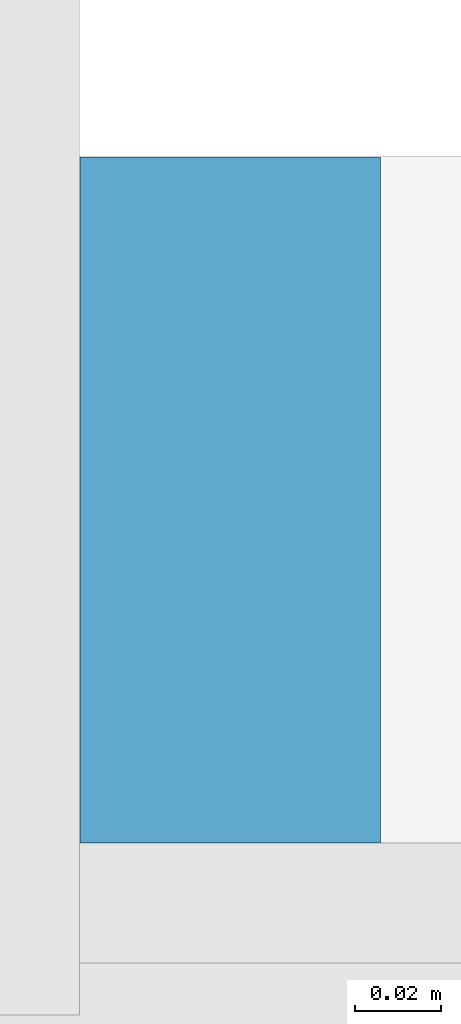
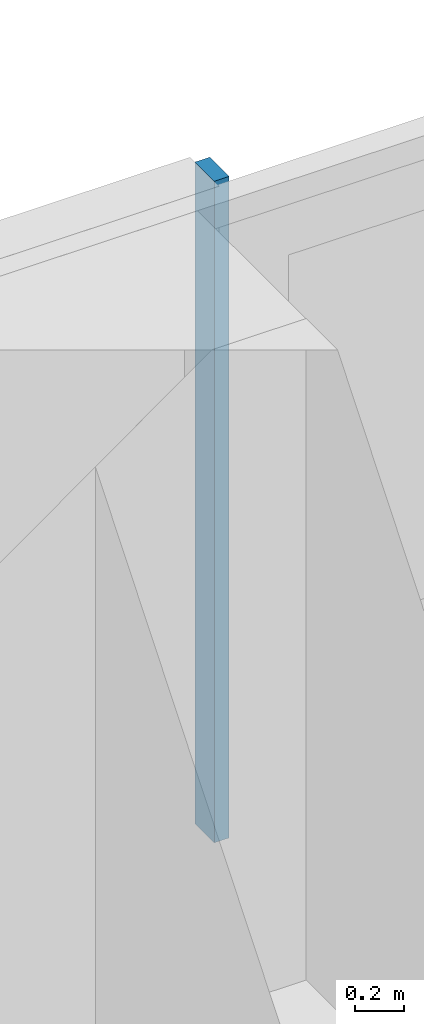
# One storey, part 10 of 26: 1 member, 1 element without a shape of its own.
"""IFC4 building model written with IfcOpenShell, lengths in metres."""

from ifc_helpers import new_model, si_unit, direction, frame, origin, origin_2d, place, context, subcontext, project, spatial, rectangle, extrude, material, material_profile, profile_set, type_object, element, aggregate, save


model = new_model("IFC4")

# Units and contexts
model_context = context("Model", 3, precision=1e-05, world=origin(), true_north=direction((0.0, 1.0)))
body_context = subcontext(model_context, "Body", "Model", "MODEL_VIEW")
ifc_project = project(units=[si_unit("LENGTHUNIT", "METRE"), si_unit("AREAUNIT", "SQUARE_METRE"), si_unit("VOLUMEUNIT", "CUBIC_METRE"), si_unit("PLANEANGLEUNIT", "RADIAN"), si_unit("MASSUNIT", "GRAM", prefix="KILO")], contexts=[model_context])

# Site, building, storey
site_placement = place(None, origin())
site = spatial("IfcSite", under=ifc_project, at=site_placement, CompositionType="ELEMENT")
building_placement = place(site_placement, origin())
building = spatial("IfcBuilding", under=site, at=building_placement, Name="Saffron Gate Tower", CompositionType="ELEMENT")
storey_placement = place(building_placement, frame((0.0, 0.0, 102.449951171875)))
storey = spatial("IfcBuildingStorey", under=building, at=storey_placement, Name="L23", CompositionType="ELEMENT", Elevation=102.449951171875)

# Curtain wall, member
ifc_material = material(Name="Aluminium, bronze anodised", Category="aluminium")
curtain_wall_type = type_object("IfcCurtainWallType", Name="CWS3 curtain wall rear facade", PredefinedType="NOTDEFINED", material=ifc_material)
curtain_wall_placement = place(storey_placement, origin())
curtain_wall = element("IfcCurtainWall", 1, at=curtain_wall_placement, inside=storey, type_object=curtain_wall_type, Name="CWS3 run 7", PredefinedType="NOTDEFINED")
ifc_material_profile = material_profile(ifc_material, rectangle(XDim=0.159912109375, YDim=0.070068359375, at=origin_2d()))
ifc_profile_set = profile_set([ifc_material_profile], Name="Aluminium, bronze anodised")
member_type = type_object("IfcMemberType", Name="CWS3 mullion 70x160", PredefinedType="MULLION", material=ifc_profile_set)
member_placement = place(storey_placement, frame((108.60009765625, 75.52001953125, 0.0), z_axis=(0.0, 0.0, 1.0), x_axis=(0.0, -1.0, 0.0)))
member = element("IfcMember", 2, at=member_placement, type_object=member_type, Name="CWS3 mullion 3", PredefinedType="MULLION", context=body_context, shape_type="SweptSolid", body=[
    extrude(rectangle(XDim=0.159912109375, YDim=0.070068359375, at=origin_2d()), origin(), (0.0, 0.0, 1.0), 3.320068359375),
])
aggregate(curtain_wall, [member])

save(model, "model.ifc")
